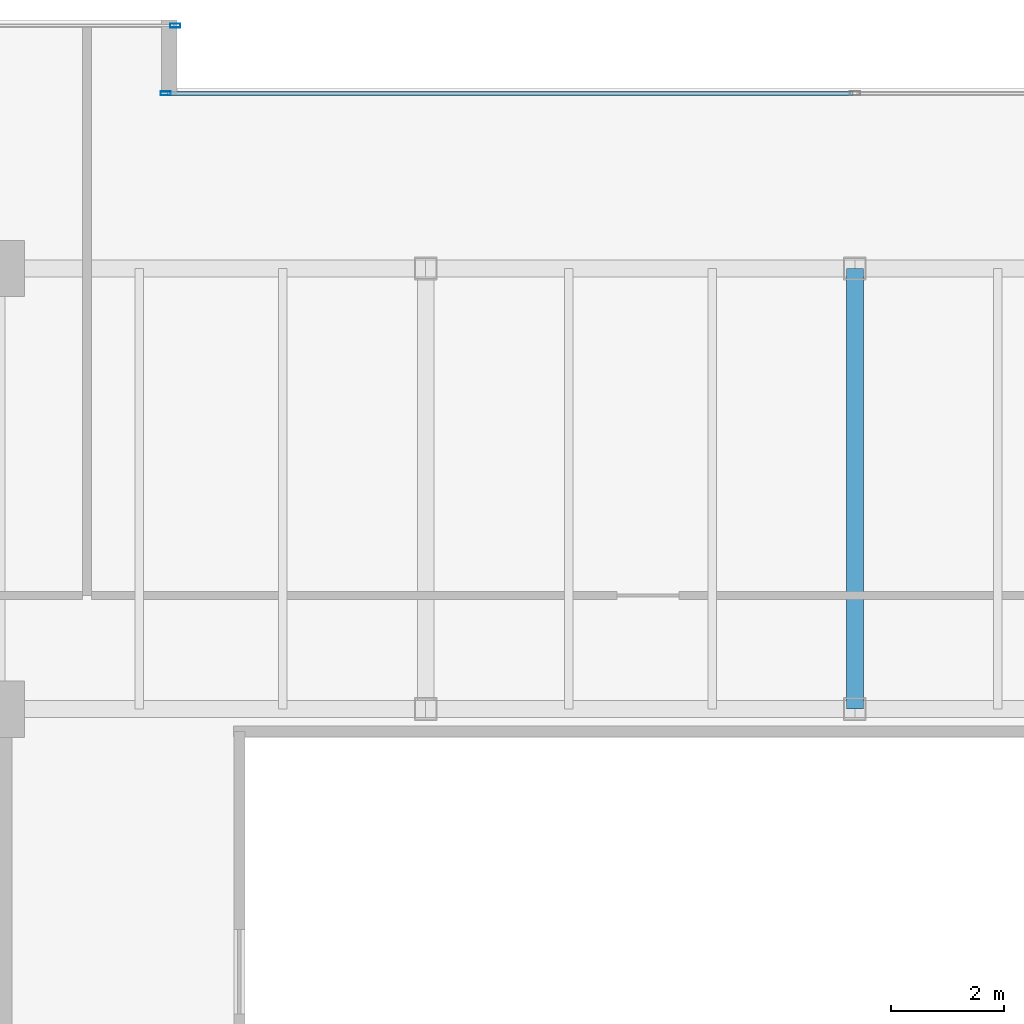
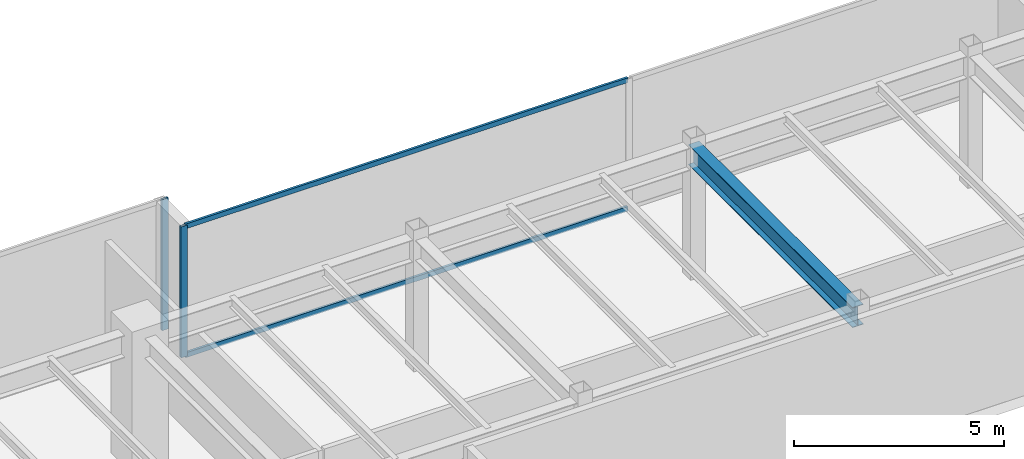
# One storey, part 17 of 33: 4 members, 1 beam, 2 elements without a shape of their own.
"""IFC4 building model written with IfcOpenShell, lengths in metres."""

from ifc_helpers import new_model, si_unit, direction, frame, origin, origin_2d, place, context, subcontext, project, spatial, hollow_rectangle, i_section, extrude, source, transform, mapped, material, layer, layer_set, material_profile, profile_set, type_object, type_shapes, element, aggregate, save


model = new_model("IFC4")

# Units and contexts
model_context = context("Model", 3, precision=1e-05, world=origin(), true_north=direction((0.0, 1.0)))
body_context = subcontext(model_context, "Body", "Model", "MODEL_VIEW")
ifc_project = project(units=[si_unit("LENGTHUNIT", "METRE"), si_unit("AREAUNIT", "SQUARE_METRE"), si_unit("VOLUMEUNIT", "CUBIC_METRE"), si_unit("PLANEANGLEUNIT", "RADIAN"), si_unit("MASSUNIT", "GRAM", prefix="KILO")], contexts=[model_context])

# Site, building, storey
site_placement = place(None, origin())
site = spatial("IfcSite", under=ifc_project, at=site_placement, CompositionType="ELEMENT")
building_placement = place(site_placement, origin())
building = spatial("IfcBuilding", under=site, at=building_placement, Name="Haelvirn Gate Laboratories", CompositionType="ELEMENT")
storey_placement = place(building_placement, frame((0.0, 0.0, 209.60009765625)))
storey = spatial("IfcBuildingStorey", under=building, at=storey_placement, Name="L50", CompositionType="ELEMENT", Elevation=209.60009765625)

# Beam
ifc_material_1 = material(Name="Steel SM355", Category="steel")
ifc_material_profile_1 = material_profile(ifc_material_1, i_section(OverallWidth=0.300048828125, OverallDepth=0.587890625, WebThickness=0.011962890625, FlangeThickness=0.02001953125, at=origin_2d()), Name="H-588x300x12x20")
ifc_profile_set_1 = profile_set([ifc_material_profile_1], Name="Steel SM355")
beam_type = type_object("IfcBeamType", Name="BM-G-588", PredefinedType="BEAM", material=ifc_profile_set_1)
shared_shape_1 = source(origin(), body_context, "Body", "SweptSolid", [
    extrude(i_section(OverallWidth=0.300048828125, OverallDepth=0.587890625, WebThickness=0.011962890625, FlangeThickness=0.02001953125, at=origin_2d()), origin(), (0.0, 0.0, 1.0), 7.800048828125),
])
type_shapes(beam_type, [shared_shape_1])
beam_placement = place(storey_placement, frame((37.39990234375, 33.800048828125, 3.505859375), z_axis=(0.0, 1.0, 0.0), x_axis=(-1.0, 0.0, 0.0)))
element("IfcBeam", 1, at=beam_placement, inside=storey, type_object=beam_type, Name="L50 Frame Girder X37.4 (33.8-41.6)", PredefinedType="BEAM", context=body_context, shape_type="MappedRepresentation", body=[
    mapped(shared_shape_1, transform((0.0, 0.0, 0.0), scale=1.0)),
])

# Curtain wall, members
ifc_material_2 = material(Name="Anodised bronze unitised aluminium & triple low-E glass", Category="aluminium")
ifc_layer = layer(ifc_material_2, 0.176025390625, Name="CW-SYS-4")
ifc_layer_set = layer_set([ifc_layer], Name="Anodised bronze unitised aluminium & triple low-E glass")
curtain_wall_type = type_object("IfcCurtainWallType", Name="CW-SYS-4", PredefinedType="NOTDEFINED", material=ifc_layer_set)
curtain_wall_1_placement = place(storey_placement, origin())
curtain_wall_1 = element("IfcCurtainWall", 2, at=curtain_wall_1_placement, inside=storey, type_object=curtain_wall_type, Name="L50 Unitised Curtain Wall CW-L50-P0-E12-1", PredefinedType="NOTDEFINED")
ifc_material_3 = material(Name="Extruded aluminium 6063-T6 (anodised bronze)", Category="aluminium")
ifc_material_profile_2 = material_profile(ifc_material_3, hollow_rectangle(XDim=0.06494140625, YDim=0.139892578125, WallThickness=0.00390625, at=origin_2d()), Name="CWT-140x65x4")
ifc_profile_set_2 = profile_set([ifc_material_profile_2], Name="Extruded aluminium 6063-T6 (anodised bronze)")
member_type_1 = type_object("IfcMemberType", Name="CWT-T140", PredefinedType="USERDEFINED", material=ifc_profile_set_2)
shared_shape_2 = source(origin(), body_context, "Body", "SweptSolid", [
    extrude(hollow_rectangle(XDim=0.06494140625, YDim=0.139892578125, WallThickness=0.00390625, at=origin_2d()), origin(), (0.0, 0.0, 1.0), 12.135009765625),
])
type_shapes(member_type_1, [shared_shape_2])
member_1_placement = place(storey_placement, frame((25.22998046875, 44.699951171875, 0.032470703125), z_axis=(1.0, 0.0, 0.0), x_axis=(0.0, 1.0, 0.0)))
member_1 = element("IfcMember", 3, at=member_1_placement, type_object=member_type_1, Name="CW4 transom 1.1", ObjectType="TRANSOM", PredefinedType="USERDEFINED", context=body_context, shape_type="MappedRepresentation", body=[
    mapped(shared_shape_2, transform((0.0, 0.0, 0.0), scale=1.0)),
])
member_2_placement = place(storey_placement, frame((25.22998046875, 44.699951171875, 3.767333984375), z_axis=(1.0, 0.0, 0.0), x_axis=(0.0, 1.0, 0.0)))
member_2 = element("IfcMember", 4, at=member_2_placement, type_object=member_type_1, Name="CW4 transom 1.2", ObjectType="TRANSOM", PredefinedType="USERDEFINED", context=body_context, shape_type="MappedRepresentation", body=[
    mapped(shared_shape_2, transform((0.0, 0.0, 0.0), scale=1.0)),
])
ifc_material_profile_3 = material_profile(ifc_material_3, hollow_rectangle(XDim=0.070068359375, YDim=0.179931640625, WallThickness=0.0048828125, at=origin_2d()), Name="CWM-180x70x5")
ifc_profile_set_3 = profile_set([ifc_material_profile_3], Name="Extruded aluminium 6063-T6 (anodised bronze)")
member_type_2 = type_object("IfcMemberType", Name="CWM-T180", PredefinedType="MULLION", material=ifc_profile_set_3)
shared_shape_3 = source(origin(), body_context, "Body", "SweptSolid", [
    extrude(hollow_rectangle(XDim=0.070068359375, YDim=0.179931640625, WallThickness=0.0048828125, at=origin_2d()), origin(), (0.0, 0.0, 1.0), 3.7998046875),
])
type_shapes(member_type_2, [shared_shape_3])
member_3_placement = place(storey_placement, frame((25.195068359375, 44.699951171875, 0.0), z_axis=(0.0, 0.0, 1.0), x_axis=(0.0, 1.0, 0.0)))
member_3 = element("IfcMember", 5, at=member_3_placement, type_object=member_type_2, Name="CW4 mullion 1", PredefinedType="MULLION", context=body_context, shape_type="MappedRepresentation", body=[
    mapped(shared_shape_3, transform((0.0, 0.0, 0.0), scale=1.0)),
])
aggregate(curtain_wall_1, [member_3, member_1, member_2])

# Curtain wall, member
curtain_wall_2_placement = place(storey_placement, origin())
curtain_wall_2 = element("IfcCurtainWall", 6, at=curtain_wall_2_placement, inside=storey, type_object=curtain_wall_type, Name="L50 Unitised Curtain Wall CW-L50-P0-E14-1", PredefinedType="NOTDEFINED")
member_4_placement = place(storey_placement, frame((25.364990234375, 45.89990234375, 0.0), z_axis=(0.0, 0.0, 1.0), x_axis=(0.0, 1.0, 0.0)))
member_4 = element("IfcMember", 7, at=member_4_placement, type_object=member_type_2, Name="CW4 mullion 3", PredefinedType="MULLION", context=body_context, shape_type="MappedRepresentation", body=[
    mapped(shared_shape_3, transform((0.0, 0.0, 0.0), scale=1.0)),
])
aggregate(curtain_wall_2, [member_4])

save(model, "model.ifc")
